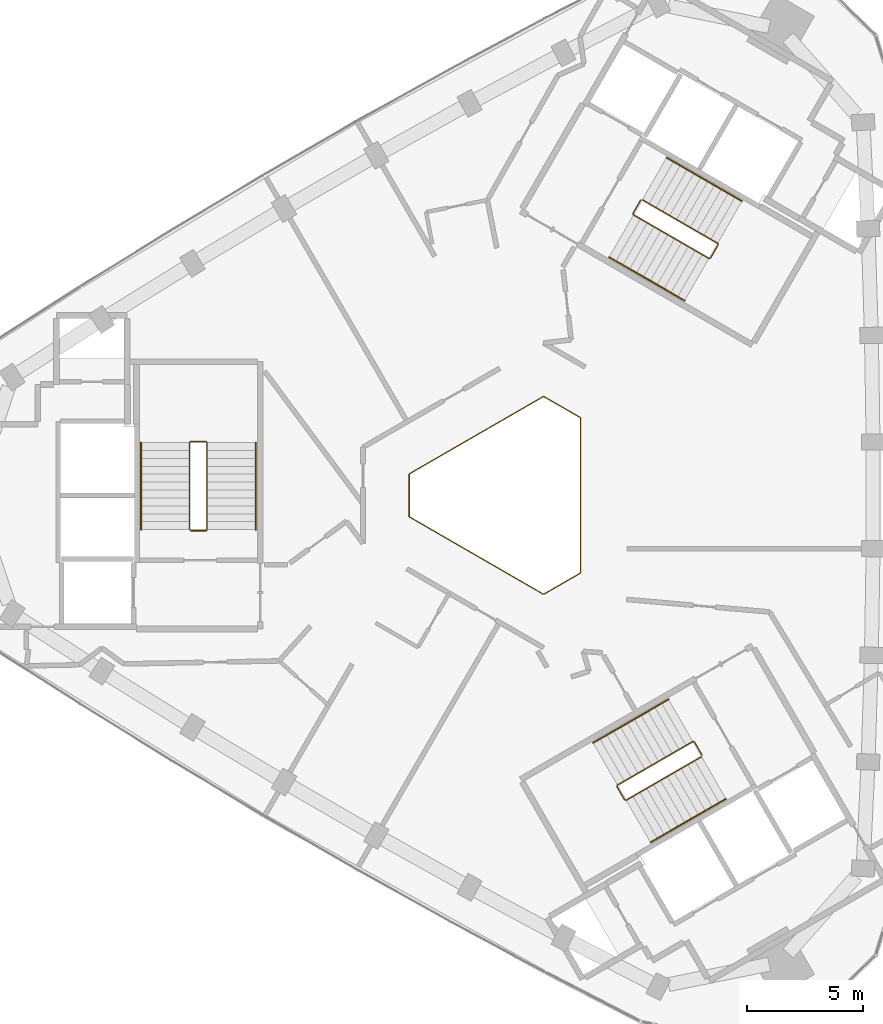
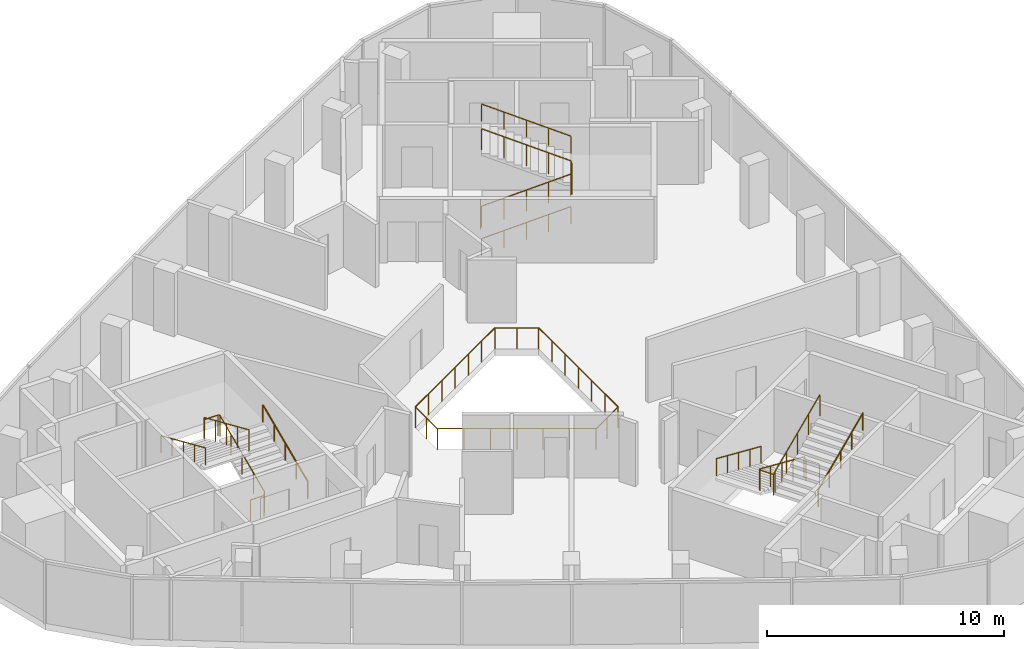
# One storey, part 10 of 10: 10 railings.
"""IFC4 building model written with IfcOpenShell, lengths in metres."""

from ifc_helpers import new_model, si_unit, direction, frame, origin, origin_2d, place, context, subcontext, project, spatial, circle, extrude, material, type_object, element, save


model = new_model("IFC4")

# Units and contexts
model_context = context("Model", 3, precision=1e-05, world=origin(), true_north=direction((0.0, 1.0)))
body_context = subcontext(model_context, "Body", "Model", "MODEL_VIEW")
ifc_project = project(units=[si_unit("LENGTHUNIT", "METRE"), si_unit("AREAUNIT", "SQUARE_METRE"), si_unit("VOLUMEUNIT", "CUBIC_METRE"), si_unit("PLANEANGLEUNIT", "RADIAN"), si_unit("MASSUNIT", "GRAM", prefix="KILO")], contexts=[model_context])

# Site, building, storey
site_placement = place(None, origin())
site = spatial("IfcSite", under=ifc_project, at=site_placement, CompositionType="ELEMENT")
building_placement = place(site_placement, origin())
building = spatial("IfcBuilding", under=site, at=building_placement, Name="Tamra Quay Hotel Tower", CompositionType="ELEMENT")
storey_placement = place(building_placement, frame((0.0, 0.0, 294.60009765625)))
storey = spatial("IfcBuildingStorey", under=building, at=storey_placement, Name="L74", CompositionType="ELEMENT", Elevation=294.60009765625)

# Railings
ifc_material_1 = material(Name="Guard atrium edge 1100")
railing_type_1 = type_object("IfcRailingType", Name="Guard atrium edge 1100", PredefinedType="GUARDRAIL", material=ifc_material_1)
railing_1_placement = place(storey_placement, frame((3.0, -3.34912109375, 0.0)))
element("IfcRailing", 1, at=railing_1_placement, inside=storey, type_object=railing_type_1, Name="G-A", PredefinedType="GUARDRAIL", context=body_context, shape_type="SweptSolid", body=[
    extrude(circle(Radius=0.02392578125, at=origin_2d()), frame((0.0, 0.0, 1.076171875), z_axis=(-0.866251590862, -0.499608027687, 0.0), x_axis=(0.499608027687, -0.866251590862, 0.0)), (0.0, 0.0, 1.0), 1.84716796875),
    extrude(circle(Radius=0.02392578125, at=origin_2d()), frame((-1.60009765625, -0.9228515625, 1.076171875), z_axis=(-0.866065387416, 0.499930739924, 0.0), x_axis=(-0.499930739924, -0.866065387416, 0.0)), (0.0, 0.0, 1.0), 6.69677734375),
    extrude(circle(Radius=0.02392578125, at=origin_2d()), frame((-7.39990234375, 2.425048828125, 1.076171875), z_axis=(0.0, 1.0, 0.0), x_axis=(-1.0, 0.0, 0.0)), (0.0, 0.0, 1.0), 1.84814453125),
    extrude(circle(Radius=0.02392578125, at=origin_2d()), frame((-7.39990234375, 4.273193359375, 1.076171875), z_axis=(0.866065387416, 0.499930739924, 0.0), x_axis=(-0.499930739924, 0.866065387416, 0.0)), (0.0, 0.0, 1.0), 6.69677734375),
    extrude(circle(Radius=0.02392578125, at=origin_2d()), frame((-1.60009765625, 7.62109375, 1.076171875), z_axis=(0.866251590862, -0.499608027687, 0.0), x_axis=(0.499608027687, 0.866251590862, 0.0)), (0.0, 0.0, 1.0), 1.84716796875),
    extrude(circle(Radius=0.02392578125, at=origin_2d()), frame((0.0, 6.6982421875, 1.076171875), z_axis=(0.0, -1.0, 0.0), x_axis=(1.0, 0.0, 0.0)), (0.0, 0.0, 1.0), 6.6982421875),
    extrude(circle(Radius=0.02099609375, at=origin_2d()), origin(), (0.0, 0.0, 1.0), 1.052001953125),
    extrude(circle(Radius=0.02099609375, at=origin_2d()), frame((-0.800048828125, -0.46142578125, 0.0)), (0.0, 0.0, 1.0), 1.052001953125),
    extrude(circle(Radius=0.02099609375, at=origin_2d()), frame((-1.60009765625, -0.9228515625, 0.0)), (0.0, 0.0, 1.0), 1.052001953125),
    extrude(circle(Radius=0.02099609375, at=origin_2d()), frame((-2.566650390625, -0.36474609375, 0.0)), (0.0, 0.0, 1.0), 1.052001953125),
    extrude(circle(Radius=0.02099609375, at=origin_2d()), frame((-3.533447265625, 0.193115234375, 0.0)), (0.0, 0.0, 1.0), 1.052001953125),
    extrude(circle(Radius=0.02099609375, at=origin_2d()), frame((-4.5, 0.7509765625, 0.0)), (0.0, 0.0, 1.0), 1.052001953125),
    extrude(circle(Radius=0.02099609375, at=origin_2d()), frame((-5.466552734375, 1.30908203125, 0.0)), (0.0, 0.0, 1.0), 1.052001953125),
    extrude(circle(Radius=0.02099609375, at=origin_2d()), frame((-6.433349609375, 1.8671875, 0.0)), (0.0, 0.0, 1.0), 1.052001953125),
    extrude(circle(Radius=0.02099609375, at=origin_2d()), frame((-7.39990234375, 2.425048828125, 0.0)), (0.0, 0.0, 1.0), 1.052001953125),
    extrude(circle(Radius=0.02099609375, at=origin_2d()), frame((-7.39990234375, 3.34912109375, 0.0)), (0.0, 0.0, 1.0), 1.052001953125),
    extrude(circle(Radius=0.02099609375, at=origin_2d()), frame((-7.39990234375, 4.273193359375, 0.0)), (0.0, 0.0, 1.0), 1.052001953125),
    extrude(circle(Radius=0.02099609375, at=origin_2d()), frame((-6.433349609375, 4.8310546875, 0.0)), (0.0, 0.0, 1.0), 1.052001953125),
    extrude(circle(Radius=0.02099609375, at=origin_2d()), frame((-5.466552734375, 5.38916015625, 0.0)), (0.0, 0.0, 1.0), 1.052001953125),
    extrude(circle(Radius=0.02099609375, at=origin_2d()), frame((-4.5, 5.947265625, 0.0)), (0.0, 0.0, 1.0), 1.052001953125),
    extrude(circle(Radius=0.02099609375, at=origin_2d()), frame((-3.533447265625, 6.505126953125, 0.0)), (0.0, 0.0, 1.0), 1.052001953125),
    extrude(circle(Radius=0.02099609375, at=origin_2d()), frame((-2.566650390625, 7.06298828125, 0.0)), (0.0, 0.0, 1.0), 1.052001953125),
    extrude(circle(Radius=0.02099609375, at=origin_2d()), frame((-1.60009765625, 7.62109375, 0.0)), (0.0, 0.0, 1.0), 1.052001953125),
    extrude(circle(Radius=0.02099609375, at=origin_2d()), frame((-0.800048828125, 7.15966796875, 0.0)), (0.0, 0.0, 1.0), 1.052001953125),
    extrude(circle(Radius=0.02099609375, at=origin_2d()), frame((0.0, 6.6982421875, 0.0)), (0.0, 0.0, 1.0), 1.052001953125),
    extrude(circle(Radius=0.02099609375, at=origin_2d()), frame((0.0, 5.581787109375, 0.0)), (0.0, 0.0, 1.0), 1.052001953125),
    extrude(circle(Radius=0.02099609375, at=origin_2d()), frame((0.0, 4.465576171875, 0.0)), (0.0, 0.0, 1.0), 1.052001953125),
    extrude(circle(Radius=0.02099609375, at=origin_2d()), frame((0.0, 3.34912109375, 0.0)), (0.0, 0.0, 1.0), 1.052001953125),
    extrude(circle(Radius=0.02099609375, at=origin_2d()), frame((0.0, 2.232666015625, 0.0)), (0.0, 0.0, 1.0), 1.052001953125),
    extrude(circle(Radius=0.02099609375, at=origin_2d()), frame((0.0, 1.116455078125, 0.0)), (0.0, 0.0, 1.0), 1.052001953125),
])
ifc_material_2 = material(Name="Stair guard 1100")
railing_type_2 = type_object("IfcRailingType", Name="Stair guard 1100", PredefinedType="GUARDRAIL", material=ifc_material_2)
railing_2_placement = place(storey_placement, frame((-13.84130859375, -1.530029296875, 0.0)))
element("IfcRailing", 2, at=railing_2_placement, inside=storey, type_object=railing_type_2, Name="GR", PredefinedType="GUARDRAIL", context=body_context, shape_type="SweptSolid", body=[
    extrude(circle(Radius=0.02392578125, at=origin_2d()), frame((0.0, 0.0, 1.076171875), z_axis=(1.0, 0.0, 0.0), x_axis=(0.0, 1.0, 0.0)), (0.0, 0.0, 1.0), 0.658935546875),
    extrude(circle(Radius=0.02392578125, at=origin_2d()), frame((0.658935546875, 0.0, 1.076171875), z_axis=(0.301912943143, 0.301912943143, 0.904266083366), x_axis=(-0.707106781187, 0.707106781187, 0.0)), (0.0, 0.0, 1.0), 0.165771484375),
    extrude(circle(Radius=0.02392578125, at=origin_2d()), frame((0.708984375, 0.050048828125, 1.22607421875), z_axis=(0.0, 0.915795495799, 0.401644880304), x_axis=(-1.0, 0.0, 0.0)), (0.0, 0.0, 1.0), 4.10791015625),
    extrude(circle(Radius=0.02392578125, at=origin_2d()), frame((0.708984375, 3.81201171875, 2.8759765625), z_axis=(-0.708833529934, 0.705375805398, 0.0), x_axis=(-0.705375805398, -0.708833529934, 0.0)), (0.0, 0.0, 1.0), 0.070556640625),
    extrude(circle(Radius=0.02392578125, at=origin_2d()), frame((0.658935546875, 3.86181640625, 2.8759765625), z_axis=(-1.0, 0.0, 0.0), x_axis=(0.0, -1.0, 0.0)), (0.0, 0.0, 1.0), 0.658935546875),
    extrude(circle(Radius=0.02392578125, at=origin_2d()), frame((0.0, 3.86181640625, 2.8759765625), z_axis=(-0.301644814947, -0.300173376825, 0.904934444842), x_axis=(0.705375805398, -0.708833529934, 0.0)), (0.0, 0.0, 1.0), 0.166015625),
    extrude(circle(Radius=0.02392578125, at=origin_2d()), frame((-0.050048828125, 3.81201171875, 3.02587890625), z_axis=(0.0, -0.915795495799, 0.401644880304), x_axis=(1.0, 0.0, 0.0)), (0.0, 0.0, 1.0), 4.10791015625),
    extrude(circle(Radius=0.02099609375, at=origin_2d()), origin(), (0.0, 0.0, 1.0), 1.052001953125),
    extrude(circle(Radius=0.02099609375, at=origin_2d()), frame((0.658935546875, 0.0, 0.0)), (0.0, 0.0, 1.0), 1.052001953125),
    extrude(circle(Radius=0.02099609375, at=origin_2d()), frame((0.708984375, 0.050048828125, 0.14990234375)), (0.0, 0.0, 1.0), 1.052001953125),
    extrude(circle(Radius=0.02099609375, at=origin_2d()), frame((0.708984375, 0.990478515625, 0.5625)), (0.0, 0.0, 1.0), 1.052001953125),
    extrude(circle(Radius=0.02099609375, at=origin_2d()), frame((0.708984375, 1.93115234375, 0.974853515625)), (0.0, 0.0, 1.0), 1.052001953125),
    extrude(circle(Radius=0.02099609375, at=origin_2d()), frame((0.708984375, 2.87158203125, 1.38720703125)), (0.0, 0.0, 1.0), 1.052001953125),
    extrude(circle(Radius=0.02099609375, at=origin_2d()), frame((0.708984375, 3.81201171875, 1.7998046875)), (0.0, 0.0, 1.0), 1.052001953125),
    extrude(circle(Radius=0.02099609375, at=origin_2d()), frame((0.658935546875, 3.86181640625, 1.7998046875)), (0.0, 0.0, 1.0), 1.052001953125),
    extrude(circle(Radius=0.02099609375, at=origin_2d()), frame((0.0, 3.86181640625, 1.7998046875)), (0.0, 0.0, 1.0), 1.052001953125),
    extrude(circle(Radius=0.02099609375, at=origin_2d()), frame((-0.050048828125, 3.81201171875, 1.949951171875)), (0.0, 0.0, 1.0), 1.052001953125),
    extrude(circle(Radius=0.02099609375, at=origin_2d()), frame((-0.050048828125, 2.87158203125, 2.3623046875)), (0.0, 0.0, 1.0), 1.052001953125),
    extrude(circle(Radius=0.02099609375, at=origin_2d()), frame((-0.050048828125, 1.93115234375, 2.77490234375)), (0.0, 0.0, 1.0), 1.052001953125),
    extrude(circle(Radius=0.02099609375, at=origin_2d()), frame((-0.050048828125, 0.990478515625, 3.1875)), (0.0, 0.0, 1.0), 1.052001953125),
    extrude(circle(Radius=0.02099609375, at=origin_2d()), frame((-0.050048828125, 0.050048828125, 3.599853515625)), (0.0, 0.0, 1.0), 1.052001953125),
])
railing_3_placement = place(storey_placement, frame((5.595458984375, 12.751953125, 0.0)))
element("IfcRailing", 3, at=railing_3_placement, inside=storey, type_object=railing_type_2, Name="GR", PredefinedType="GUARDRAIL", context=body_context, shape_type="SweptSolid", body=[
    extrude(circle(Radius=0.02392578125, at=origin_2d()), frame((0.0, 0.0, 1.076171875), z_axis=(-0.499765215335, -0.866160914346, 0.0), x_axis=(0.866160914346, -0.499765215335, 0.0)), (0.0, 0.0, 1.0), 0.658935546875),
    extrude(circle(Radius=0.02392578125, at=origin_2d()), frame((-0.329345703125, -0.57080078125, 1.076171875), z_axis=(0.110525977783, -0.411156637351, 0.904839338113), x_axis=(0.965715946433, 0.259601060869, 0.0)), (0.0, 0.0, 1.0), 0.165771484375),
    extrude(circle(Radius=0.02392578125, at=origin_2d()), frame((-0.31103515625, -0.638916015625, 1.22607421875), z_axis=(0.793078462799, -0.457933869594, 0.401650498471), x_axis=(0.500040788363, 0.866001853331, 0.0)), (0.0, 0.0, 1.0), 4.10791015625),
    extrude(circle(Radius=0.02392578125, at=origin_2d()), frame((2.94677734375, -2.52001953125, 2.8759765625), z_axis=(0.965948051503, 0.258736085224, 0.0), x_axis=(-0.258736085224, 0.965948051503, 0.0)), (0.0, 0.0, 1.0), 0.07080078125),
    extrude(circle(Radius=0.02392578125, at=origin_2d()), frame((3.01513671875, -2.501708984375, 2.8759765625), z_axis=(0.500043078269, 0.866000531106, 0.0), x_axis=(-0.866000531106, 0.500043078269, 0.0)), (0.0, 0.0, 1.0), 0.6591796875),
    extrude(circle(Radius=0.02392578125, at=origin_2d()), frame((3.3447265625, -1.930908203125, 2.8759765625), z_axis=(-0.110378772244, 0.410609032747, 0.905105932399), x_axis=(-0.965715946433, -0.259601060869, 0.0)), (0.0, 0.0, 1.0), 0.165771484375),
    extrude(circle(Radius=0.02392578125, at=origin_2d()), frame((3.326416015625, -1.86279296875, 3.02587890625), z_axis=(-0.793100512587, 0.457912285461, 0.401631567183), x_axis=(-0.500012686397, -0.866018079166, 0.0)), (0.0, 0.0, 1.0), 4.10791015625),
    extrude(circle(Radius=0.02099609375, at=origin_2d()), origin(), (0.0, 0.0, 1.0), 1.052001953125),
    extrude(circle(Radius=0.02099609375, at=origin_2d()), frame((-0.329345703125, -0.57080078125, 0.0)), (0.0, 0.0, 1.0), 1.052001953125),
    extrude(circle(Radius=0.02099609375, at=origin_2d()), frame((-0.31103515625, -0.638916015625, 0.14990234375)), (0.0, 0.0, 1.0), 1.052001953125),
    extrude(circle(Radius=0.02099609375, at=origin_2d()), frame((0.50341796875, -1.109130859375, 0.5625)), (0.0, 0.0, 1.0), 1.052001953125),
    extrude(circle(Radius=0.02099609375, at=origin_2d()), frame((1.31787109375, -1.57958984375, 0.974853515625)), (0.0, 0.0, 1.0), 1.052001953125),
    extrude(circle(Radius=0.02099609375, at=origin_2d()), frame((2.13232421875, -2.0498046875, 1.38720703125)), (0.0, 0.0, 1.0), 1.052001953125),
    extrude(circle(Radius=0.02099609375, at=origin_2d()), frame((2.94677734375, -2.52001953125, 1.7998046875)), (0.0, 0.0, 1.0), 1.052001953125),
    extrude(circle(Radius=0.02099609375, at=origin_2d()), frame((3.01513671875, -2.501708984375, 1.7998046875)), (0.0, 0.0, 1.0), 1.052001953125),
    extrude(circle(Radius=0.02099609375, at=origin_2d()), frame((3.3447265625, -1.930908203125, 1.7998046875)), (0.0, 0.0, 1.0), 1.052001953125),
    extrude(circle(Radius=0.02099609375, at=origin_2d()), frame((3.326416015625, -1.86279296875, 1.949951171875)), (0.0, 0.0, 1.0), 1.052001953125),
    extrude(circle(Radius=0.02099609375, at=origin_2d()), frame((2.511962890625, -1.392578125, 2.3623046875)), (0.0, 0.0, 1.0), 1.052001953125),
    extrude(circle(Radius=0.02099609375, at=origin_2d()), frame((1.697265625, -0.92236328125, 2.77490234375)), (0.0, 0.0, 1.0), 1.052001953125),
    extrude(circle(Radius=0.02099609375, at=origin_2d()), frame((0.8828125, -0.451904296875, 3.1875)), (0.0, 0.0, 1.0), 1.052001953125),
    extrude(circle(Radius=0.02099609375, at=origin_2d()), frame((0.068359375, 0.018310546875, 3.599853515625)), (0.0, 0.0, 1.0), 1.052001953125),
])
railing_4_placement = place(storey_placement, frame((8.245849609375, -11.221923828125, 0.0)))
element("IfcRailing", 4, at=railing_4_placement, inside=storey, type_object=railing_type_2, Name="GR", PredefinedType="GUARDRAIL", context=body_context, shape_type="SweptSolid", body=[
    extrude(circle(Radius=0.02392578125, at=origin_2d()), frame((0.0, 0.0, 1.076171875), z_axis=(-0.500043078269, 0.866000531106, 0.0), x_axis=(-0.866000531106, -0.500043078269, 0.0)), (0.0, 0.0, 1.0), 0.6591796875),
    extrude(circle(Radius=0.02392578125, at=origin_2d()), frame((-0.32958984375, 0.57080078125, 1.076171875), z_axis=(-0.41238007866, 0.110458949641, 0.904290601062), x_axis=(-0.258736085224, -0.965948051503, 0.0)), (0.0, 0.0, 1.0), 0.165771484375),
    extrude(circle(Radius=0.02392578125, at=origin_2d()), frame((-0.39794921875, 0.589111328125, 1.22607421875), z_axis=(-0.793100512587, -0.457912285461, 0.401631567183), x_axis=(0.500012686397, -0.866018079166, 0.0)), (0.0, 0.0, 1.0), 4.10791015625),
    extrude(circle(Radius=0.02392578125, at=origin_2d()), frame((-3.656005859375, -1.2919921875, 2.8759765625), z_axis=(-0.256368644879, -0.966579080015, 0.0), x_axis=(0.966579080015, -0.256368644879, 0.0)), (0.0, 0.0, 1.0), 0.070556640625),
    extrude(circle(Radius=0.02392578125, at=origin_2d()), frame((-3.674072265625, -1.360107421875, 2.8759765625), z_axis=(0.499765215335, -0.866160914346, 0.0), x_axis=(0.866160914346, 0.499765215335, 0.0)), (0.0, 0.0, 1.0), 0.658935546875),
    extrude(circle(Radius=0.02392578125, at=origin_2d()), frame((-3.3447265625, -1.930908203125, 2.8759765625), z_axis=(0.411831509231, -0.110312011401, 0.90455849349), x_axis=(0.258736085224, 0.965948051503, 0.0)), (0.0, 0.0, 1.0), 0.166015625),
    extrude(circle(Radius=0.02392578125, at=origin_2d()), frame((-3.2763671875, -1.94921875, 3.02587890625), z_axis=(0.793100512587, 0.457912285461, 0.401631567183), x_axis=(-0.500012686397, 0.866018079166, 0.0)), (0.0, 0.0, 1.0), 4.10791015625),
    extrude(circle(Radius=0.02099609375, at=origin_2d()), origin(), (0.0, 0.0, 1.0), 1.052001953125),
    extrude(circle(Radius=0.02099609375, at=origin_2d()), frame((-0.32958984375, 0.57080078125, 0.0)), (0.0, 0.0, 1.0), 1.052001953125),
    extrude(circle(Radius=0.02099609375, at=origin_2d()), frame((-0.39794921875, 0.589111328125, 0.14990234375)), (0.0, 0.0, 1.0), 1.052001953125),
    extrude(circle(Radius=0.02099609375, at=origin_2d()), frame((-1.21240234375, 0.118896484375, 0.5625)), (0.0, 0.0, 1.0), 1.052001953125),
    extrude(circle(Radius=0.02099609375, at=origin_2d()), frame((-2.02685546875, -0.3515625, 0.974853515625)), (0.0, 0.0, 1.0), 1.052001953125),
    extrude(circle(Radius=0.02099609375, at=origin_2d()), frame((-2.841552734375, -0.82177734375, 1.38720703125)), (0.0, 0.0, 1.0), 1.052001953125),
    extrude(circle(Radius=0.02099609375, at=origin_2d()), frame((-3.656005859375, -1.2919921875, 1.7998046875)), (0.0, 0.0, 1.0), 1.052001953125),
    extrude(circle(Radius=0.02099609375, at=origin_2d()), frame((-3.674072265625, -1.360107421875, 1.7998046875)), (0.0, 0.0, 1.0), 1.052001953125),
    extrude(circle(Radius=0.02099609375, at=origin_2d()), frame((-3.3447265625, -1.930908203125, 1.7998046875)), (0.0, 0.0, 1.0), 1.052001953125),
    extrude(circle(Radius=0.02099609375, at=origin_2d()), frame((-3.2763671875, -1.94921875, 1.949951171875)), (0.0, 0.0, 1.0), 1.052001953125),
    extrude(circle(Radius=0.02099609375, at=origin_2d()), frame((-2.4619140625, -1.47900390625, 2.3623046875)), (0.0, 0.0, 1.0), 1.052001953125),
    extrude(circle(Radius=0.02099609375, at=origin_2d()), frame((-1.6474609375, -1.0087890625, 2.77490234375)), (0.0, 0.0, 1.0), 1.052001953125),
    extrude(circle(Radius=0.02099609375, at=origin_2d()), frame((-0.832763671875, -0.538330078125, 3.1875)), (0.0, 0.0, 1.0), 1.052001953125),
    extrude(circle(Radius=0.02099609375, at=origin_2d()), frame((-0.018310546875, -0.068115234375, 3.599853515625)), (0.0, 0.0, 1.0), 1.052001953125),
])
ifc_material_3 = material(Name="Stair handrail 900")
railing_type_3 = type_object("IfcRailingType", Name="Stair handrail 900", PredefinedType="HANDRAIL", material=ifc_material_3)
railing_5_placement = place(storey_placement, frame((-11.0322265625, -1.47998046875, 0.14990234375)))
element("IfcRailing", 5, at=railing_5_placement, inside=storey, type_object=railing_type_3, Name="HR", PredefinedType="HANDRAIL", context=body_context, shape_type="SweptSolid", body=[
    extrude(circle(Radius=0.02392578125, at=origin_2d()), frame((0.0, 0.0, 0.8759765625), z_axis=(0.0, 0.915795495799, 0.401644880304), x_axis=(-1.0, 0.0, 0.0)), (0.0, 0.0, 1.0), 4.10791015625),
    extrude(circle(Radius=0.02099609375, at=origin_2d()), origin(), (0.0, 0.0, 1.0), 0.851806640625),
    extrude(circle(Radius=0.02099609375, at=origin_2d()), frame((0.0, 0.9404296875, 0.41259765625)), (0.0, 0.0, 1.0), 0.851806640625),
    extrude(circle(Radius=0.02099609375, at=origin_2d()), frame((0.0, 1.880859375, 0.824951171875)), (0.0, 0.0, 1.0), 0.851806640625),
    extrude(circle(Radius=0.02099609375, at=origin_2d()), frame((0.0, 2.821533203125, 1.2373046875)), (0.0, 0.0, 1.0), 0.851806640625),
    extrude(circle(Radius=0.02099609375, at=origin_2d()), frame((0.0, 3.761962890625, 1.64990234375)), (0.0, 0.0, 1.0), 0.851806640625),
])
railing_6_placement = place(storey_placement, frame((-15.9912109375, 2.281982421875, 1.949951171875)))
element("IfcRailing", 6, at=railing_6_placement, inside=storey, type_object=railing_type_3, Name="HR", PredefinedType="HANDRAIL", context=body_context, shape_type="SweptSolid", body=[
    extrude(circle(Radius=0.02392578125, at=origin_2d()), frame((0.0, 0.0, 0.8759765625), z_axis=(0.0, -0.915795495799, 0.401644880304), x_axis=(1.0, 0.0, 0.0)), (0.0, 0.0, 1.0), 4.10791015625),
    extrude(circle(Radius=0.02099609375, at=origin_2d()), origin(), (0.0, 0.0, 1.0), 0.851806640625),
    extrude(circle(Radius=0.02099609375, at=origin_2d()), frame((0.0, -0.9404296875, 0.41259765625)), (0.0, 0.0, 1.0), 0.851806640625),
    extrude(circle(Radius=0.02099609375, at=origin_2d()), frame((0.0, -1.880859375, 0.824951171875)), (0.0, 0.0, 1.0), 0.851806640625),
    extrude(circle(Radius=0.02099609375, at=origin_2d()), frame((0.0, -2.821533203125, 1.2373046875)), (0.0, 0.0, 1.0), 0.851806640625),
    extrude(circle(Radius=0.02099609375, at=origin_2d()), frame((0.0, -3.761962890625, 1.64990234375)), (0.0, 0.0, 1.0), 0.851806640625),
])
railing_7_placement = place(storey_placement, frame((4.234375, 10.294189453125, 0.14990234375)))
element("IfcRailing", 7, at=railing_7_placement, inside=storey, type_object=railing_type_3, Name="HR", PredefinedType="HANDRAIL", context=body_context, shape_type="SweptSolid", body=[
    extrude(circle(Radius=0.02392578125, at=origin_2d()), frame((0.0, 0.0, 0.8759765625), z_axis=(0.793122095483, -0.45786531462, 0.401642496911), x_axis=(0.499964013922, 0.86604617936, 0.0)), (0.0, 0.0, 1.0), 4.10791015625),
    extrude(circle(Radius=0.02099609375, at=origin_2d()), origin(), (0.0, 0.0, 1.0), 0.851806640625),
    extrude(circle(Radius=0.02099609375, at=origin_2d()), frame((0.814453125, -0.47021484375, 0.41259765625)), (0.0, 0.0, 1.0), 0.851806640625),
    extrude(circle(Radius=0.02099609375, at=origin_2d()), frame((1.62890625, -0.9404296875, 0.824951171875)), (0.0, 0.0, 1.0), 0.851806640625),
    extrude(circle(Radius=0.02099609375, at=origin_2d()), frame((2.443603515625, -1.41064453125, 1.2373046875)), (0.0, 0.0, 1.0), 0.851806640625),
    extrude(circle(Radius=0.02099609375, at=origin_2d()), frame((3.258056640625, -1.880859375, 1.64990234375)), (0.0, 0.0, 1.0), 0.851806640625),
])
railing_8_placement = place(storey_placement, frame((9.971923828125, 12.7080078125, 1.949951171875)))
element("IfcRailing", 8, at=railing_8_placement, inside=storey, type_object=railing_type_3, Name="HR", PredefinedType="HANDRAIL", context=body_context, shape_type="SweptSolid", body=[
    extrude(circle(Radius=0.02392578125, at=origin_2d()), frame((0.0, 0.0, 0.8759765625), z_axis=(-0.793122095483, 0.45786531462, 0.401642496911), x_axis=(-0.499964013922, -0.86604617936, 0.0)), (0.0, 0.0, 1.0), 4.10791015625),
    extrude(circle(Radius=0.02099609375, at=origin_2d()), origin(), (0.0, 0.0, 1.0), 0.851806640625),
    extrude(circle(Radius=0.02099609375, at=origin_2d()), frame((-0.814453125, 0.47021484375, 0.41259765625)), (0.0, 0.0, 1.0), 0.851806640625),
    extrude(circle(Radius=0.02099609375, at=origin_2d()), frame((-1.62890625, 0.9404296875, 0.824951171875)), (0.0, 0.0, 1.0), 0.851806640625),
    extrude(circle(Radius=0.02099609375, at=origin_2d()), frame((-2.443603515625, 1.41064453125, 1.2373046875)), (0.0, 0.0, 1.0), 0.851806640625),
    extrude(circle(Radius=0.02099609375, at=origin_2d()), frame((-3.258056640625, 1.880859375, 1.64990234375)), (0.0, 0.0, 1.0), 0.851806640625),
])
railing_9_placement = place(storey_placement, frame((6.7978515625, -8.814208984375, 0.14990234375)))
element("IfcRailing", 9, at=railing_9_placement, inside=storey, type_object=railing_type_3, Name="HR", PredefinedType="HANDRAIL", context=body_context, shape_type="SweptSolid", body=[
    extrude(circle(Radius=0.02392578125, at=origin_2d()), frame((0.0, 0.0, 0.8759765625), z_axis=(-0.79310004713, -0.457886897714, 0.401661429744), x_axis=(0.499992114976, -0.866029956157, 0.0)), (0.0, 0.0, 1.0), 4.107666015625),
    extrude(circle(Radius=0.02099609375, at=origin_2d()), origin(), (0.0, 0.0, 1.0), 0.851806640625),
    extrude(circle(Radius=0.02099609375, at=origin_2d()), frame((-0.814453125, -0.47021484375, 0.41259765625)), (0.0, 0.0, 1.0), 0.851806640625),
    extrude(circle(Radius=0.02099609375, at=origin_2d()), frame((-1.62890625, -0.9404296875, 0.824951171875)), (0.0, 0.0, 1.0), 0.851806640625),
    extrude(circle(Radius=0.02099609375, at=origin_2d()), frame((-2.443359375, -1.41064453125, 1.2373046875)), (0.0, 0.0, 1.0), 0.851806640625),
    extrude(circle(Radius=0.02099609375, at=origin_2d()), frame((-3.2578125, -1.880859375, 1.64990234375)), (0.0, 0.0, 1.0), 0.851806640625),
])
railing_10_placement = place(storey_placement, frame((6.01953125, -14.98974609375, 1.949951171875)))
element("IfcRailing", 10, at=railing_10_placement, inside=storey, type_object=railing_type_3, Name="HR", PredefinedType="HANDRAIL", context=body_context, shape_type="SweptSolid", body=[
    extrude(circle(Radius=0.02392578125, at=origin_2d()), frame((0.0, 0.0, 0.8759765625), z_axis=(0.79310004713, 0.457886897714, 0.401661429744), x_axis=(-0.499992114976, 0.866029956157, 0.0)), (0.0, 0.0, 1.0), 4.107666015625),
    extrude(circle(Radius=0.02099609375, at=origin_2d()), origin(), (0.0, 0.0, 1.0), 0.851806640625),
    extrude(circle(Radius=0.02099609375, at=origin_2d()), frame((0.814453125, 0.47021484375, 0.41259765625)), (0.0, 0.0, 1.0), 0.851806640625),
    extrude(circle(Radius=0.02099609375, at=origin_2d()), frame((1.62890625, 0.9404296875, 0.824951171875)), (0.0, 0.0, 1.0), 0.851806640625),
    extrude(circle(Radius=0.02099609375, at=origin_2d()), frame((2.443359375, 1.41064453125, 1.2373046875)), (0.0, 0.0, 1.0), 0.851806640625),
    extrude(circle(Radius=0.02099609375, at=origin_2d()), frame((3.2578125, 1.880859375, 1.64990234375)), (0.0, 0.0, 1.0), 0.851806640625),
])

save(model, "model.ifc")
